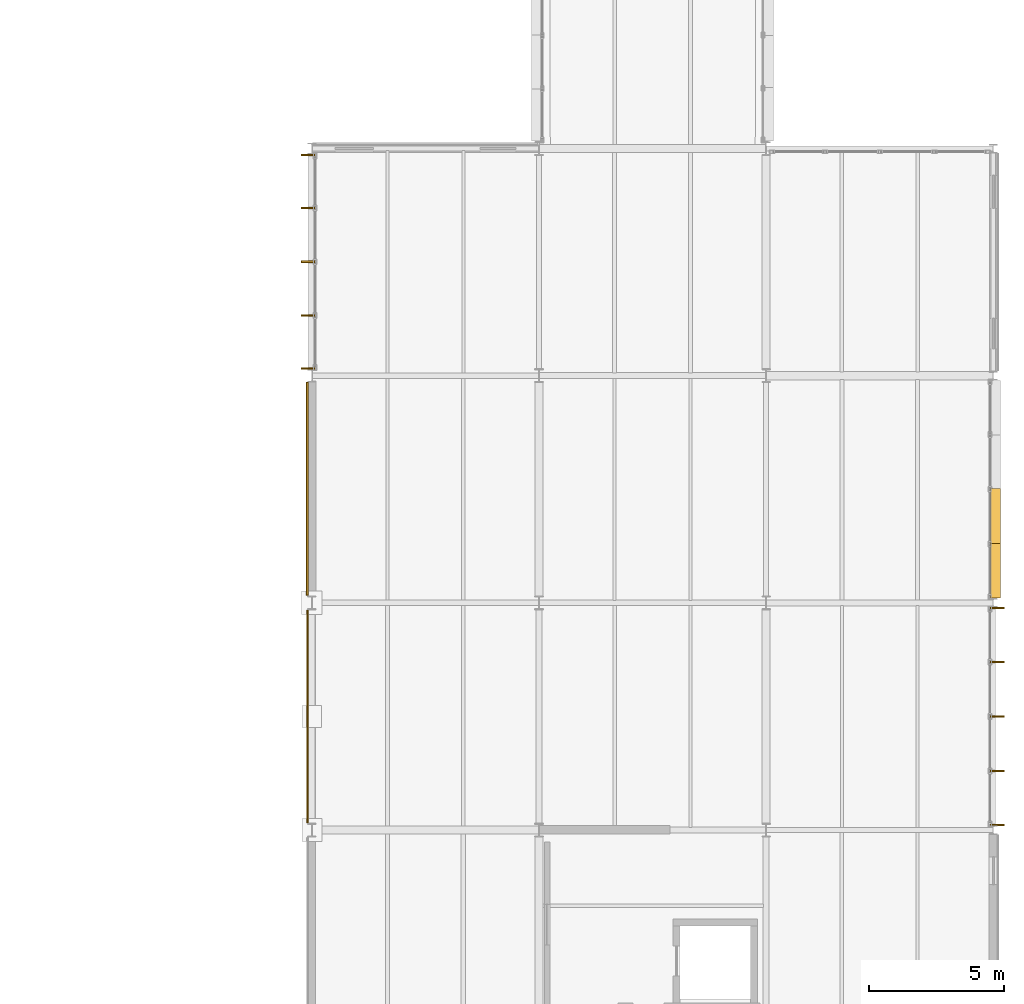
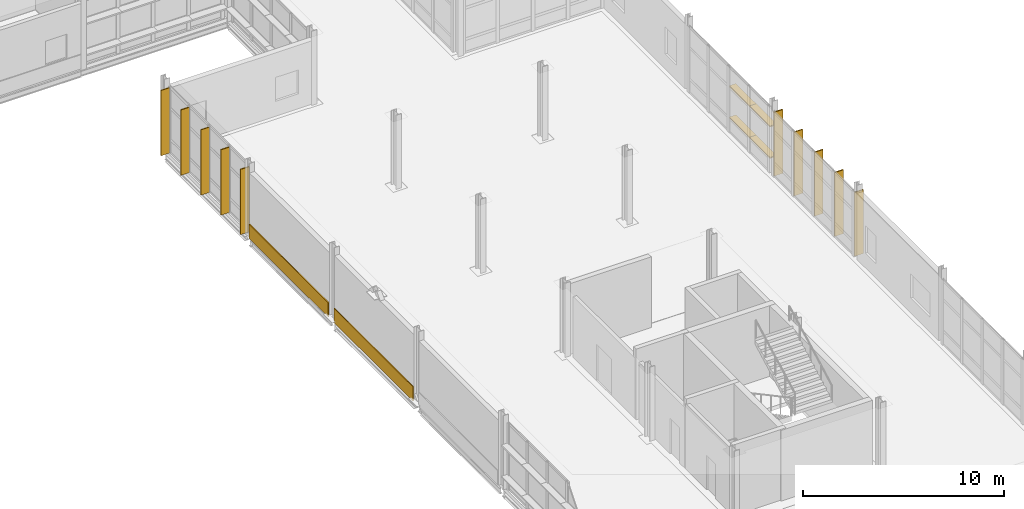
# One storey, part 124 of 129: 14 shading devices, 2 coverings.
"""IFC4 building model written with IfcOpenShell, lengths in metres."""

from ifc_helpers import new_model, si_unit, direction, frame, origin, origin_2d, place, context, subcontext, project, spatial, rectangle, extrude, material, layer, layer_set, type_object, element, save


model = new_model("IFC4")

# Units and contexts
model_context = context("Model", 3, precision=1e-05, world=origin(), true_north=direction((0.0, 1.0)))
body_context = subcontext(model_context, "Body", "Model", "MODEL_VIEW")
ifc_project = project(units=[si_unit("LENGTHUNIT", "METRE"), si_unit("AREAUNIT", "SQUARE_METRE"), si_unit("VOLUMEUNIT", "CUBIC_METRE"), si_unit("PLANEANGLEUNIT", "RADIAN"), si_unit("MASSUNIT", "GRAM", prefix="KILO")], contexts=[model_context])

# Site, building, storey
site_placement = place(None, origin())
site = spatial("IfcSite", under=ifc_project, at=site_placement, CompositionType="ELEMENT")
building_placement = place(site_placement, origin())
building = spatial("IfcBuilding", under=site, at=building_placement, Name="Mersafa Astral City Hall", CompositionType="ELEMENT")
storey_placement = place(building_placement, frame((0.0, 0.0, 5.39990234375)))
storey = spatial("IfcBuildingStorey", under=building, at=storey_placement, Name="L01", CompositionType="ELEMENT", Elevation=5.39990234375)

# Coverings
ifc_material_1 = material(Name="Cairo Mokattam buff limestone cladding", Category="masonry")
ifc_layer = layer(ifc_material_1, 0.06005859375, Name="Cairo Mokattam buff limestone cladding")
ifc_layer_set = layer_set([ifc_layer], Name="Cairo Mokattam buff limestone cladding — ENV-COV-LIMESTONE-60")
covering_type = type_object("IfcCoveringType", Name="ENV-COV-LIMESTONE-60", PredefinedType="CLADDING", material=ifc_layer_set)
covering_1_placement = place(storey_placement, frame((159.430419921875, 79.8125, 0.0), z_axis=(0.0, 0.0, 1.0), x_axis=(0.0, -1.0, 0.0)))
element("IfcCovering", 1, at=covering_1_placement, inside=storey, type_object=covering_type, Name="L01 Cairo buff limestone rainscreen cladding 85", PredefinedType="CLADDING", context=body_context, shape_type="SweptSolid", body=[
    extrude(rectangle(XDim=7.873046875, YDim=0.06005859375, at=origin_2d()), origin(), (0.0, 0.0, 1.0), 0.860107421875),
])
covering_2_placement = place(storey_placement, frame((159.43798828125, 71.39990234375, 0.0), z_axis=(0.0, 0.0, 1.0), x_axis=(0.0, -1.0, 0.0)))
element("IfcCovering", 2, at=covering_2_placement, inside=storey, type_object=covering_type, Name="L01 Cairo buff limestone rainscreen cladding 86", PredefinedType="CLADDING", context=body_context, shape_type="SweptSolid", body=[
    extrude(rectangle(XDim=7.847900390625, YDim=0.06005859375, at=origin_2d()), origin(), (0.0, 0.0, 1.0), 0.860107421875),
])

# Shading devices
ifc_material_2 = material(Name="Anodised bronze aluminium solar fin", Category="aluminium")
shading_device_type_1 = type_object("IfcShadingDeviceType", Name="ENV-SHD-FIN-500B", PredefinedType="USERDEFINED", material=ifc_material_2)
for number, where, z_axis, x_axis, name in (
    (3, (159.455078125, 92.157958984375, -0.014892578125), (0.0, 0.0, 1.0), (0.0, -1.0, 0.0), "L01 Vertical bronze solar fin 435"),
    (4, (159.455078125, 90.2001953125, -0.014892578125), (0.0, 0.0, 1.0), (0.0, -1.0, 0.0), "L01 Vertical bronze solar fin 436"),
    (5, (159.455078125, 88.21240234375, -0.014892578125), (0.0, 0.0, 1.0), (0.0, -1.0, 0.0), "L01 Vertical bronze solar fin 437"),
    (6, (159.455078125, 86.224853515625, -0.014892578125), (0.0, 0.0, 1.0), (0.0, -1.0, 0.0), "L01 Vertical bronze solar fin 438"),
    (7, (159.455078125, 84.26708984375, -0.014892578125), (0.0, 0.0, 1.0), (0.0, -1.0, 0.0), "L01 Vertical bronze solar fin 439"),
):
    element("IfcShadingDevice", number, at=place(storey_placement, frame(where, z_axis=z_axis, x_axis=x_axis)), inside=storey, type_object=shading_device_type_1, Name=name, ObjectType="FIN", PredefinedType="USERDEFINED", context=body_context, shape_type="SweptSolid", body=[
        extrude(rectangle(XDim=0.06005859375, YDim=0.5, at=origin_2d()), origin(), (0.0, 0.0, 1.0), 3.9619140625),
    ])
for number, where, z_axis, x_axis, name in (
    (8, (184.945068359375, 67.39208984375, -0.014892578125), (0.0, 0.0, 1.0), (0.0, 1.0, 0.0), "L01 Vertical bronze solar fin 477"),
    (9, (184.945068359375, 69.381103515625, -0.014892578125), (0.0, 0.0, 1.0), (0.0, 1.0, 0.0), "L01 Vertical bronze solar fin 478"),
    (10, (184.945068359375, 71.39990234375, -0.014892578125), (0.0, 0.0, 1.0), (0.0, 1.0, 0.0), "L01 Vertical bronze solar fin 479"),
    (11, (184.945068359375, 73.4189453125, -0.014892578125), (0.0, 0.0, 1.0), (0.0, 1.0, 0.0), "L01 Vertical bronze solar fin 480"),
    (12, (184.945068359375, 75.407958984375, -0.014892578125), (0.0, 0.0, 1.0), (0.0, 1.0, 0.0), "L01 Vertical bronze solar fin 481"),
):
    element("IfcShadingDevice", number, at=place(storey_placement, frame(where, z_axis=z_axis, x_axis=x_axis)), inside=storey, type_object=shading_device_type_1, Name=name, ObjectType="FIN", PredefinedType="USERDEFINED", context=body_context, shape_type="SweptSolid", body=[
        extrude(rectangle(XDim=0.06005859375, YDim=0.5, at=origin_2d()), origin(), (0.0, 0.0, 1.0), 3.8720703125),
    ])
ifc_material_3 = material(Name="Kiln-dried cedar timber brise-soleil blade", Category="wood")
shading_device_type_2 = type_object("IfcShadingDeviceType", Name="ENV-SHD-LOUVRE-380", PredefinedType="JALOUSIE", material=ifc_material_3)
shading_device_1_placement = place(storey_placement, frame((184.8798828125, 76.78662109375, 0.81494140625), z_axis=(0.0, 0.0, 1.0), x_axis=(0.0, 1.0, 0.0)))
element("IfcShadingDevice", 13, at=shading_device_1_placement, inside=storey, type_object=shading_device_type_2, Name="L01 Horizontal cedar brise-soleil louvre 482", PredefinedType="JALOUSIE", context=body_context, shape_type="SweptSolid", body=[
    extrude(rectangle(XDim=2.029052734375, YDim=0.3798828125, at=origin_2d()), origin(), (0.0, 0.0, 1.0), 0.070068359375),
])
shading_device_2_placement = place(storey_placement, frame((184.8798828125, 78.79052734375, 0.81494140625), z_axis=(0.0, 0.0, 1.0), x_axis=(0.0, 1.0, 0.0)))
element("IfcShadingDevice", 14, at=shading_device_2_placement, inside=storey, type_object=shading_device_type_2, Name="L01 Horizontal cedar brise-soleil louvre 483", PredefinedType="JALOUSIE", context=body_context, shape_type="SweptSolid", body=[
    extrude(rectangle(XDim=2.05908203125, YDim=0.3798828125, at=origin_2d()), origin(), (0.0, 0.0, 1.0), 0.070068359375),
])
shading_device_3_placement = place(storey_placement, frame((184.8798828125, 76.78662109375, 2.71484375), z_axis=(0.0, 0.0, 1.0), x_axis=(0.0, 1.0, 0.0)))
element("IfcShadingDevice", 15, at=shading_device_3_placement, inside=storey, type_object=shading_device_type_2, Name="L01 Horizontal cedar brise-soleil louvre 486", PredefinedType="JALOUSIE", context=body_context, shape_type="SweptSolid", body=[
    extrude(rectangle(XDim=2.029052734375, YDim=0.3798828125, at=origin_2d()), origin(), (0.0, 0.0, 1.0), 0.070068359375),
])
shading_device_4_placement = place(storey_placement, frame((184.8798828125, 78.79052734375, 2.71484375), z_axis=(0.0, 0.0, 1.0), x_axis=(0.0, 1.0, 0.0)))
element("IfcShadingDevice", 16, at=shading_device_4_placement, inside=storey, type_object=shading_device_type_2, Name="L01 Horizontal cedar brise-soleil louvre 487", PredefinedType="JALOUSIE", context=body_context, shape_type="SweptSolid", body=[
    extrude(rectangle(XDim=2.05908203125, YDim=0.3798828125, at=origin_2d()), origin(), (0.0, 0.0, 1.0), 0.070068359375),
])

save(model, "model.ifc")
